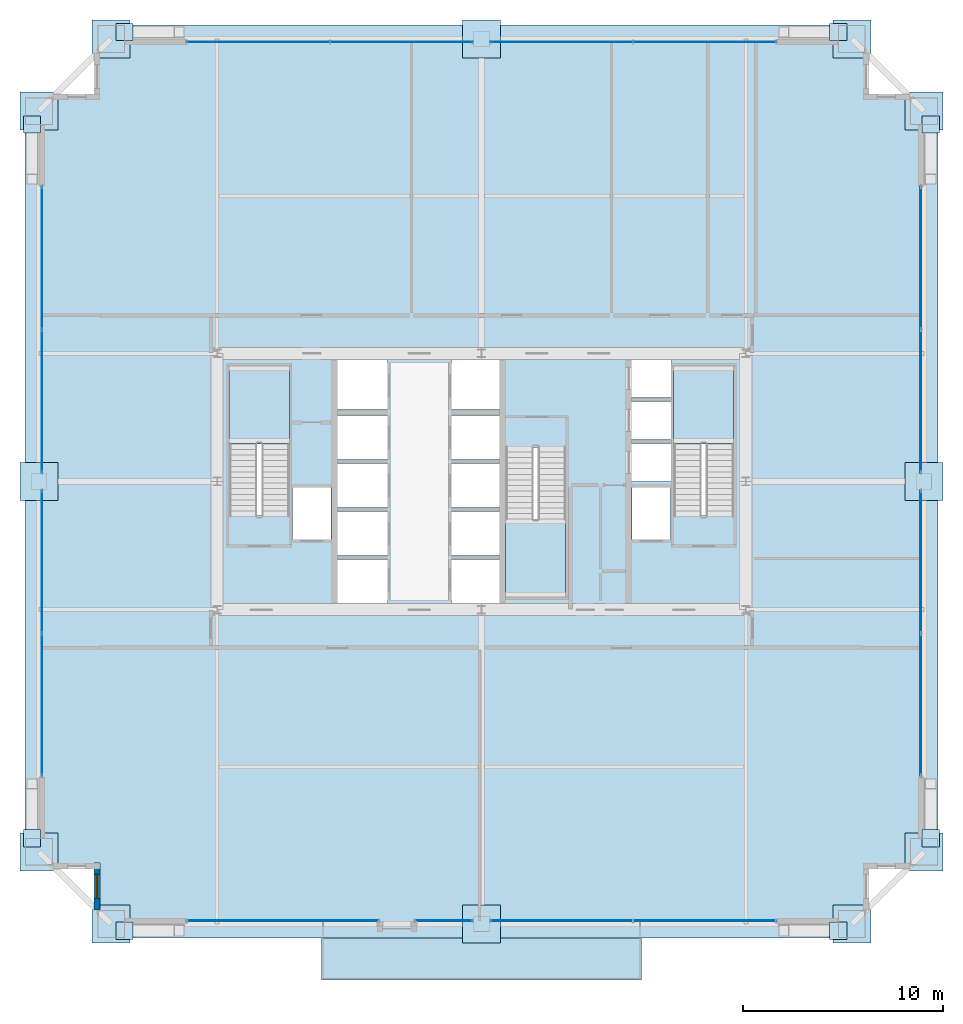
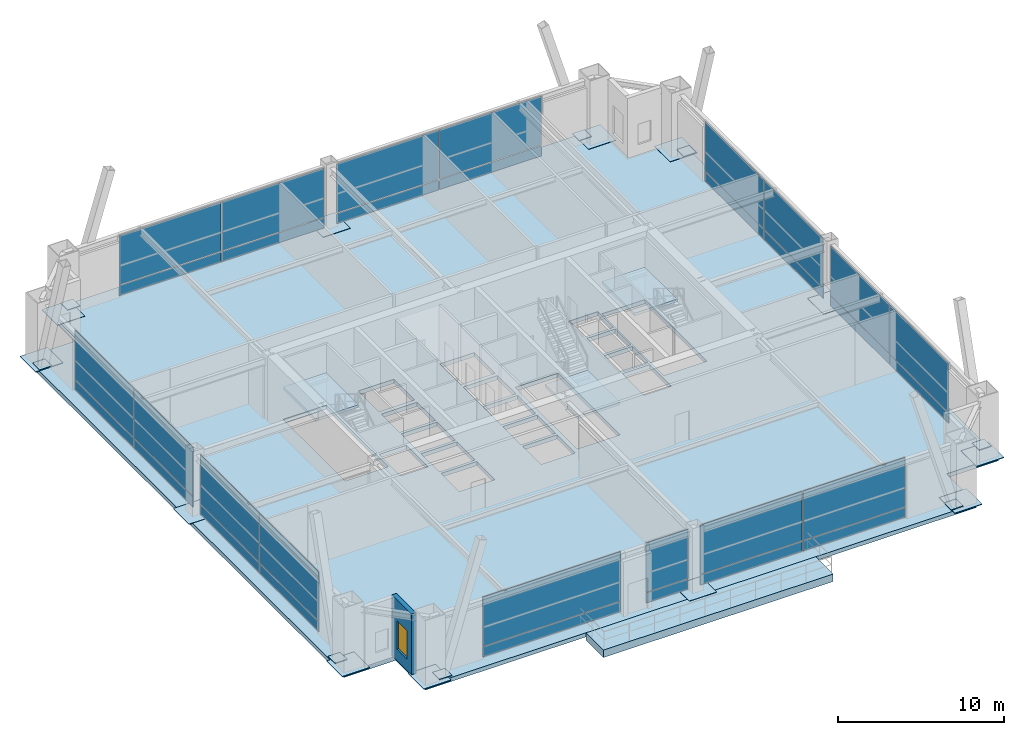
# One storey, part 29 of 34: 52 plates, 5 slabs, 1 wall, 1 window, 1 opening, 12 elements without a shape of their own.
"""IFC4 building model written with IfcOpenShell, lengths in metres."""

import ifcopenshell
import ifcopenshell.guid

model = None  # the IFC model being written
_history = None  # IfcOwnerHistory: only IFC2X3 demands one
_inside = {}  # id of a spatial element -> (the spatial element, [elements in it])
_under = {}  # id of a project, library or spatial element -> (it, [spatial elements below it])
_declared = {}  # id of a project -> (the project, [libraries it declares])
_typed = {}  # id of a type object -> (the type object, [elements of that type])
_made_of = {}  # id of a material, layer set ... -> (it, [elements and type objects made of it])


def new_model(schema):
    """Start an empty IFC model of exactly this schema.

    Asked for "IFC4X3", IfcOpenShell would pick the latest addendum, in which some entities
    have other attributes; the version numbers below select the first issue.
    IFC2X3 requires an IfcOwnerHistory on every rooted entity: one is made here for all.
    """
    global model, _history
    if schema == "IFC4X3":
        model = ifcopenshell.file(schema_version=(4, 3, 0, 0))
    else:
        model = ifcopenshell.file(schema=schema)
    _inside.clear()
    _under.clear()
    _declared.clear()
    _typed.clear()
    _made_of.clear()
    _history = None
    if model.schema == "IFC2X3":
        org = make("IfcOrganization", Name="unknown")
        user = make(
            "IfcPersonAndOrganization",
            ThePerson=make("IfcPerson", FamilyName="unknown"),
            TheOrganization=org,
        )
        app = make(
            "IfcApplication",
            ApplicationDeveloper=org,
            Version="unknown",
            ApplicationFullName="unknown",
            ApplicationIdentifier="unknown",
        )
        _history = make(
            "IfcOwnerHistory",
            OwningUser=user,
            OwningApplication=app,
            ChangeAction="ADDED",
            CreationDate=0,
        )
    return model


def make(cls, **values):
    """One entity of the class cls with the attributes given. An attribute that is None is left unset."""
    return model.create_entity(
        cls, **{name: value for name, value in values.items() if value is not None}
    )


def rooted(cls, **values):
    """An entity with a GlobalId (a new one), such as an element, a storey or a relation."""
    return make(cls, GlobalId=ifcopenshell.guid.new(), OwnerHistory=_history, **values)


def si_unit(unit_type, name, prefix=None):
    """IfcSIUnit, for example si_unit("LENGTHUNIT", "METRE", prefix="MILLI")."""
    return make("IfcSIUnit", UnitType=unit_type, Prefix=prefix, Name=name)


def assignment(units):
    """IfcUnitAssignment: the units of a project."""
    return None if units is None else make("IfcUnitAssignment", Units=units)


def point(xyz):
    """IfcCartesianPoint."""
    return None if xyz is None else make("IfcCartesianPoint", Coordinates=xyz)


def direction(xyz):
    """IfcDirection."""
    return None if xyz is None else make("IfcDirection", DirectionRatios=xyz)


def frame(location, z_axis=None, x_axis=None):
    """IfcAxis2Placement3D, a coordinate frame: its origin and axes. An axis left out is left unset."""
    return make(
        "IfcAxis2Placement3D",
        Location=point(location),
        Axis=direction(z_axis),
        RefDirection=direction(x_axis),
    )


def frame_2d(location, x_axis=None):
    """IfcAxis2Placement2D, a coordinate frame in the plane: its origin and x axis."""
    return make(
        "IfcAxis2Placement2D", Location=point(location), RefDirection=direction(x_axis)
    )


def origin():
    """The frame at (0, 0, 0) with its axes left unset."""
    return frame((0.0, 0.0, 0.0))


def origin_2d():
    """The frame at (0, 0) in the plane with its x axis left unset."""
    return frame_2d((0.0, 0.0))


def place(relative_to, where):
    """IfcLocalPlacement: puts the frame where relative to a parent placement (None: the world)."""
    return make(
        "IfcLocalPlacement", PlacementRelTo=relative_to, RelativePlacement=where
    )


def context(
    kind, dimensions, precision=None, world=None, true_north=None, identifier=None
):
    """IfcGeometricRepresentationContext, for example the 3D "Model" context."""
    return make(
        "IfcGeometricRepresentationContext",
        ContextIdentifier=identifier,
        ContextType=kind,
        CoordinateSpaceDimension=dimensions,
        Precision=precision,
        WorldCoordinateSystem=world,
        TrueNorth=true_north,
    )


def subcontext(parent, identifier, kind, view, scale=None):
    """IfcGeometricRepresentationSubContext, for example "Body" below "Model"."""
    return make(
        "IfcGeometricRepresentationSubContext",
        ContextIdentifier=identifier,
        ContextType=kind,
        ParentContext=parent,
        TargetScale=scale,
        TargetView=view,
    )


def project(units=None, contexts=None):
    """IfcProject with its units and contexts."""
    return rooted(
        "IfcProject",
        Name="project",
        RepresentationContexts=contexts,
        UnitsInContext=assignment(units),
    )


def spatial(cls, under=None, at=None, **own):
    """A site, building, storey or space (cls), placed at a placement, below another one or the project."""
    s = rooted(cls, ObjectPlacement=at, **own)
    if under is not None:
        _under.setdefault(under.id(), (under, []))[1].append(s)
    return s


def polyline(points):
    """IfcPolyline through the points."""
    return make("IfcPolyline", Points=[point(p) for p in points])


def profile(cls, at=None, kind="AREA", **sizes):
    """A parametric profile (cls). Its sizes go by their IFC names, for example OverallWidth=200.0."""
    return make(cls, ProfileType=kind, Position=at, **sizes)


def rectangle(**sizes):
    """IfcRectangleProfileDef."""
    return profile("IfcRectangleProfileDef", **sizes)


def outline(outer, holes=None, kind="AREA"):
    """IfcArbitraryClosedProfileDef: a profile drawn as a closed curve; with holes, ...WithVoids."""
    if holes is None:
        return make("IfcArbitraryClosedProfileDef", ProfileType=kind, OuterCurve=outer)
    return make(
        "IfcArbitraryProfileDefWithVoids",
        ProfileType=kind,
        OuterCurve=outer,
        InnerCurves=holes,
    )


def extrude(swept, where, along, depth):
    """IfcExtrudedAreaSolid: the profile swept, set in the frame where, extruded along a direction by depth."""
    return make(
        "IfcExtrudedAreaSolid",
        SweptArea=swept,
        Position=where,
        ExtrudedDirection=direction(along),
        Depth=depth,
    )


def shape(context_of_items, identifier, shape_type, items):
    """IfcShapeRepresentation: the items that make up one representation, for example the "Body"."""
    return make(
        "IfcShapeRepresentation",
        ContextOfItems=context_of_items,
        RepresentationIdentifier=identifier,
        RepresentationType=shape_type,
        Items=items,
    )


def source(mapping_origin, context_of_items, identifier, shape_type, items):
    """IfcRepresentationMap: a shape defined once, which mapped items show again and again."""
    return make(
        "IfcRepresentationMap",
        MappingOrigin=mapping_origin,
        MappedRepresentation=shape(context_of_items, identifier, shape_type, items),
    )


def transform(
    local_origin,
    x_axis=None,
    y_axis=None,
    z_axis=None,
    scale=None,
    scale2=None,
    scale3=None,
    uniform=True,
):
    """IfcCartesianTransformationOperator3D, or its non-uniform kind. x_axis, y_axis, z_axis: its Axis1, 2, 3."""
    if uniform:
        return make(
            "IfcCartesianTransformationOperator3D",
            Axis1=direction(x_axis),
            Axis2=direction(y_axis),
            LocalOrigin=point(local_origin),
            Scale=scale,
            Axis3=direction(z_axis),
        )
    return make(
        "IfcCartesianTransformationOperator3DnonUniform",
        Axis1=direction(x_axis),
        Axis2=direction(y_axis),
        LocalOrigin=point(local_origin),
        Scale=scale,
        Axis3=direction(z_axis),
        Scale2=scale2,
        Scale3=scale3,
    )


def mapped(mapping_source, mapping_target):
    """IfcMappedItem: shows the shape of a source again, moved by a transform."""
    return make(
        "IfcMappedItem", MappingSource=mapping_source, MappingTarget=mapping_target
    )


def material(Name=None, Category=None):
    """IfcMaterial."""
    return make("IfcMaterial", Name=Name, Category=Category)


def layer(
    of_material, thickness, ventilated=None, Name=None, Category=None, Priority=None
):
    """IfcMaterialLayer: one layer of a wall or slab, of a material (None: an air gap)."""
    return make(
        "IfcMaterialLayer",
        Material=of_material,
        LayerThickness=thickness,
        IsVentilated=ventilated,
        Name=Name,
        Category=Category,
        Priority=Priority,
    )


def layer_set(layers, Name=None):
    """IfcMaterialLayerSet."""
    return make("IfcMaterialLayerSet", MaterialLayers=layers, LayerSetName=Name)


def made_of(thing, what):
    """Note that an element or type object is made of a material, layer set ...; save() writes the relation."""
    if what is not None:
        _made_of.setdefault(what.id(), (what, []))[1].append(thing)
    return thing


def type_object(cls, material=None, **own):
    """A type object (cls), such as IfcWallType, which elements share."""
    return made_of(rooted(cls, **own), material)


def element(
    cls,
    number,
    at=None,
    inside=None,
    cuts=None,
    type_object=None,
    material=None,
    context=None,
    identifier="Body",
    shape_type=None,
    held_by="IfcProductDefinitionShape",
    body=None,
    shapes=None,
    **own,
):
    """One element of the class cls, such as IfcWall. Its Tag is "e" and its number.

    at: its placement. inside: the storey or other place that contains it. cuts: it is an
    opening in that element (IfcRelVoidsElement). A single representation is given by context,
    identifier, shape_type and body (its items); several are given by shapes. held_by: the class
    of the entity that holds the representations. save() writes the other relations.
    """
    e = rooted(cls, Tag="e%d" % number, ObjectPlacement=at, **own)
    if body is not None:
        shapes = [shape(context, identifier, shape_type, body)]
    if shapes is not None:
        e.Representation = make(held_by, Representations=shapes)
    if inside is not None:
        _inside.setdefault(inside.id(), (inside, []))[1].append(e)
    if cuts is not None:
        rooted(
            "IfcRelVoidsElement", RelatingBuildingElement=cuts, RelatedOpeningElement=e
        )
    if type_object is not None:
        _typed.setdefault(type_object.id(), (type_object, []))[1].append(e)
    return made_of(e, material)


def fill(opening, filler):
    """IfcRelFillsElement: the door or window that sits in an opening."""
    return rooted(
        "IfcRelFillsElement",
        RelatingOpeningElement=opening,
        RelatedBuildingElement=filler,
    )


def aggregate(whole, parts):
    """IfcRelAggregates: a whole, such as a stair, and the parts it consists of."""
    return rooted("IfcRelAggregates", RelatingObject=whole, RelatedObjects=parts)


def save(model, path):
    """Write the relations noted so far, then the file.

    IfcRelAggregates (storeys below a building ...), IfcRelContainedInSpatialStructure (elements
    in a storey), IfcRelDefinesByType, IfcRelAssociatesMaterial and IfcRelDeclares: one each for
    every whole, place, type object, material and project.
    """
    for whole, parts in _under.values():
        aggregate(whole, parts)
    for where, things in _inside.values():
        rooted(
            "IfcRelContainedInSpatialStructure",
            RelatedElements=things,
            RelatingStructure=where,
        )
    for kind, things in _typed.values():
        rooted("IfcRelDefinesByType", RelatedObjects=things, RelatingType=kind)
    for what, things in _made_of.values():
        rooted("IfcRelAssociatesMaterial", RelatedObjects=things, RelatingMaterial=what)
    for by, libraries in _declared.values():
        rooted("IfcRelDeclares", RelatingContext=by, RelatedDefinitions=libraries)
    model.write(path)


model = new_model("IFC4")

# Units and contexts
model_context = context("Model", 3, precision=1e-05, world=origin(), true_north=direction((0.0, 1.0)))
body_context = subcontext(model_context, "Body", "Model", "MODEL_VIEW")
ifc_project = project(units=[si_unit("LENGTHUNIT", "METRE"), si_unit("AREAUNIT", "SQUARE_METRE"), si_unit("VOLUMEUNIT", "CUBIC_METRE"), si_unit("PLANEANGLEUNIT", "RADIAN"), si_unit("MASSUNIT", "GRAM", prefix="KILO"), si_unit("THERMODYNAMICTEMPERATUREUNIT", "KELVIN"), si_unit("POWERUNIT", "WATT")], contexts=[model_context])

# Site, building, storey
site_placement = place(None, origin())
site = spatial("IfcSite", under=ifc_project, at=site_placement, CompositionType="ELEMENT")
building_placement = place(site_placement, origin())
building = spatial("IfcBuilding", under=site, at=building_placement, Name="Yuzanri Waterfront Tower", CompositionType="ELEMENT")
storey_placement = place(building_placement, frame((0.0, 0.0, 166.800048828125)))
storey = spatial("IfcBuildingStorey", under=building, at=storey_placement, Name="L44", CompositionType="ELEMENT", Elevation=166.800048828125)

# Stair, slab
ifc_material_1 = material(Name="Concrete C40", Category="concrete")
stair_type = type_object("IfcStairType", Name="Concrete C40 Core Dogleg Exit Stair", PredefinedType="HALF_TURN_STAIR", material=ifc_material_1)
stair_1_placement = place(storey_placement, origin())
stair_1 = element("IfcStair", 1, at=stair_1_placement, inside=storey, type_object=stair_type, Name="L44 Smoke-Proof Core Stair ST-01", PredefinedType="HALF_TURN_STAIR")
ifc_material_2 = material(Name="Concrete C40", Category="concrete")
ifc_layer_1 = layer(ifc_material_2, 0.179931640625)
ifc_layer_set_1 = layer_set([ifc_layer_1], Name="Concrete C40")
slab_type_1 = type_object("IfcSlabType", Name="Concrete C40 Stair Half-Landing Slab 180", PredefinedType="LANDING", material=ifc_layer_set_1)
slab_1_placement = place(storey_placement, frame((0.0, 0.0, 2.199951171875)))
slab_1 = element("IfcSlab", 2, at=slab_1_placement, type_object=slab_type_1, Name="ST-01 landing 1", PredefinedType="LANDING", context=body_context, shape_type="SweptSolid", body=[
    extrude(outline(polyline([(27.39990234375, 27.679931640625), (27.39990234375, 31.580078125), (24.39990234375, 31.580078125), (24.39990234375, 27.679931640625), (27.39990234375, 27.679931640625)])), origin(), (0.0, 0.0, 1.0), 0.199951171875),
])
aggregate(stair_1, [slab_1])

stair_2_placement = place(storey_placement, origin())
stair_2 = element("IfcStair", 3, at=stair_2_placement, inside=storey, type_object=stair_type, Name="L44 Smoke-Proof Core Stair ST-02", PredefinedType="HALF_TURN_STAIR")
slab_2_placement = place(storey_placement, frame((0.0, 0.0, 2.199951171875)))
slab_2 = element("IfcSlab", 4, at=slab_2_placement, type_object=slab_type_1, Name="ST-02 landing 1", PredefinedType="LANDING", context=body_context, shape_type="SweptSolid", body=[
    extrude(outline(polyline([(49.60009765625, 27.679931640625), (49.60009765625, 31.580078125), (46.60009765625, 31.580078125), (46.60009765625, 27.679931640625), (49.60009765625, 27.679931640625)])), origin(), (0.0, 0.0, 1.0), 0.199951171875),
])
aggregate(stair_2, [slab_2])

stair_3_placement = place(storey_placement, origin())
stair_3 = element("IfcStair", 5, at=stair_3_placement, inside=storey, type_object=stair_type, Name="L44 Smoke-Proof Core Stair ST-03", PredefinedType="HALF_TURN_STAIR")
slab_3_placement = place(storey_placement, frame((0.0, 0.0, 2.199951171875)))
slab_3 = element("IfcSlab", 6, at=slab_3_placement, type_object=slab_type_1, Name="ST-03 landing 1", PredefinedType="LANDING", context=body_context, shape_type="SweptSolid", body=[
    extrude(outline(polyline([(38.199951171875, 23.919921875), (38.199951171875, 20.02001953125), (41.199951171875, 20.02001953125), (41.199951171875, 23.919921875), (38.199951171875, 23.919921875)])), origin(), (0.0, 0.0, 1.0), 0.199951171875),
])
aggregate(stair_3, [slab_3])

# Slabs
ifc_material_3 = material(Name="Concrete C45", Category="concrete")
ifc_layer_2 = layer(ifc_material_3, 0.550048828125)
ifc_layer_set_2 = layer_set([ifc_layer_2], Name="Concrete C45")
slab_type_2 = type_object("IfcSlabType", Name="Concrete C45 Cantilevered Infinity Sky-Pool Basin Slab 550", PredefinedType="FLOOR", material=ifc_layer_set_2)
slab_4_placement = place(storey_placement, frame((0.0, 0.0, -0.550048828125)))
element("IfcSlab", 7, at=slab_4_placement, inside=storey, type_object=slab_type_2, Name="L44 Cantilevered Infinity Sky-Pool Basin", PredefinedType="FLOOR", context=body_context, shape_type="SweptSolid", body=[
    extrude(outline(polyline([(29.0, 0.89990234375), (45.0, 0.89990234375), (45.0, 3.0), (29.0, 3.0), (29.0, 0.89990234375)])), origin(), (0.0, 0.0, 1.0), 0.550048828125),
])
ifc_material_4 = material(Name="Concrete C45", Category="concrete")
ifc_layer_3 = layer(ifc_material_4, 0.300048828125)
ifc_layer_set_3 = layer_set([ifc_layer_3], Name="Concrete C45")
slab_type_3 = type_object("IfcSlabType", Name="Concrete C45 Transfer and Sky-Lobby Structural Floor Slab 300", PredefinedType="FLOOR", material=ifc_layer_set_3)
slab_5_placement = place(storey_placement, frame((0.0, 0.0, -0.300048828125)))
element("IfcSlab", 8, at=slab_5_placement, inside=storey, type_object=slab_type_3, Name="L44 Main Structural Floor Slab", PredefinedType="FLOOR", context=body_context, shape_type="SweptSolid", body=[
    extrude(outline(polyline([(17.800048828125, 3.0), (56.199951171875, 3.0), (56.199951171875, 6.60009765625), (59.800048828125, 6.60009765625), (59.800048828125, 45.0), (56.199951171875, 45.0), (56.199951171875, 48.60009765625), (17.800048828125, 48.60009765625), (17.800048828125, 45.0), (14.199951171875, 45.0), (14.199951171875, 6.60009765625), (17.800048828125, 6.60009765625), (17.800048828125, 3.0)]), holes=[polyline([(27.39990234375, 24.10009765625), (27.39990234375, 31.580078125), (24.39990234375, 31.580078125), (24.39990234375, 24.10009765625), (27.39990234375, 24.10009765625)]), polyline([(49.60009765625, 24.10009765625), (49.60009765625, 31.580078125), (46.60009765625, 31.580078125), (46.60009765625, 24.10009765625), (49.60009765625, 24.10009765625)]), polyline([(38.199951171875, 27.5), (38.199951171875, 20.02001953125), (41.199951171875, 20.02001953125), (41.199951171875, 27.5), (38.199951171875, 27.5)]), polyline([(27.56005859375, 22.89990234375), (29.47998046875, 22.89990234375), (29.47998046875, 25.5), (27.56005859375, 25.5), (27.56005859375, 22.89990234375)]), polyline([(44.52001953125, 22.89990234375), (46.43994140625, 22.89990234375), (46.43994140625, 25.5), (44.52001953125, 25.5), (44.52001953125, 22.89990234375)]), polyline([(29.800048828125, 19.699951171875), (32.300048828125, 19.699951171875), (32.300048828125, 21.89990234375), (29.800048828125, 21.89990234375), (29.800048828125, 19.699951171875)]), polyline([(29.800048828125, 22.10009765625), (32.300048828125, 22.10009765625), (32.300048828125, 24.300048828125), (29.800048828125, 24.300048828125), (29.800048828125, 22.10009765625)]), polyline([(29.800048828125, 24.5), (32.300048828125, 24.5), (32.300048828125, 26.699951171875), (29.800048828125, 26.699951171875), (29.800048828125, 24.5)]), polyline([(29.800048828125, 26.89990234375), (32.300048828125, 26.89990234375), (32.300048828125, 29.10009765625), (29.800048828125, 29.10009765625), (29.800048828125, 26.89990234375)]), polyline([(29.800048828125, 29.39990234375), (32.300048828125, 29.39990234375), (32.300048828125, 31.89990234375), (29.800048828125, 31.89990234375), (29.800048828125, 29.39990234375)]), polyline([(35.5, 19.699951171875), (37.89990234375, 19.699951171875), (37.89990234375, 21.89990234375), (35.5, 21.89990234375), (35.5, 19.699951171875)]), polyline([(35.5, 22.10009765625), (37.89990234375, 22.10009765625), (37.89990234375, 24.300048828125), (35.5, 24.300048828125), (35.5, 22.10009765625)]), polyline([(35.5, 24.5), (37.89990234375, 24.5), (37.89990234375, 26.699951171875), (35.5, 26.699951171875), (35.5, 24.5)]), polyline([(35.5, 26.89990234375), (37.89990234375, 26.89990234375), (37.89990234375, 29.10009765625), (35.5, 29.10009765625), (35.5, 26.89990234375)]), polyline([(35.5, 29.39990234375), (37.89990234375, 29.39990234375), (37.89990234375, 31.89990234375), (35.5, 31.89990234375), (35.5, 29.39990234375)]), polyline([(44.5, 25.800048828125), (46.5, 25.800048828125), (46.5, 27.699951171875), (44.5, 27.699951171875), (44.5, 25.800048828125)]), polyline([(44.5, 27.89990234375), (46.5, 27.89990234375), (46.5, 29.800048828125), (44.5, 29.800048828125), (44.5, 27.89990234375)]), polyline([(44.5, 30.0), (46.5, 30.0), (46.5, 31.89990234375), (44.5, 31.89990234375), (44.5, 30.0)])]), origin(), (0.0, 0.0, 1.0), 0.300048828125),
])

# Plates
ifc_material_5 = material(Name="Steel Q420GJC", Category="steel")
ifc_layer_4 = layer(ifc_material_5, 0.044921875)
ifc_layer_set_4 = layer_set([ifc_layer_4], Name="Steel Q420GJC")
plate_type_1 = type_object("IfcPlateType", Name="Steel Q420GJC Setback Column-Transfer Diaphragm Cap Plate 45", PredefinedType="SHEET", material=ifc_layer_set_4)
shared_shape_1 = source(origin(), body_context, "Body", "SweptSolid", [
    extrude(rectangle(XDim=1.89990234375, YDim=1.89990234375, at=origin_2d()), origin(), (0.0, 0.0, 1.0), 0.044921875),
])
for number, where, z_axis, x_axis, name in (
    (9, (18.5, 3.699951171875, -0.0224609375), (0.0, 0.0, 1.0), (1.0, 0.0, 0.0), "L44 Column Base Closure Plate S1"),
    (10, (37.0, 3.699951171875, -0.0224609375), (0.0, 0.0, 1.0), (1.0, 0.0, 0.0), "L44 Column Base Closure Plate S2"),
    (11, (55.5, 3.699951171875, -0.0224609375), (0.0, 0.0, 1.0), (1.0, 0.0, 0.0), "L44 Column Base Closure Plate S3"),
    (12, (18.5, 47.89990234375, -0.0224609375), (0.0, 0.0, 1.0), (1.0, 0.0, 0.0), "L44 Column Base Closure Plate N1"),
    (13, (37.0, 47.89990234375, -0.0224609375), (0.0, 0.0, 1.0), (1.0, 0.0, 0.0), "L44 Column Base Closure Plate N2"),
    (14, (55.5, 47.89990234375, -0.0224609375), (0.0, 0.0, 1.0), (1.0, 0.0, 0.0), "L44 Column Base Closure Plate N3"),
    (15, (14.89990234375, 7.300048828125, -0.0224609375), (0.0, 0.0, 1.0), (1.0, 0.0, 0.0), "L44 Column Base Closure Plate W1"),
    (16, (14.89990234375, 25.800048828125, -0.0224609375), (0.0, 0.0, 1.0), (1.0, 0.0, 0.0), "L44 Column Base Closure Plate W2"),
    (17, (14.89990234375, 44.300048828125, -0.0224609375), (0.0, 0.0, 1.0), (1.0, 0.0, 0.0), "L44 Column Base Closure Plate W3"),
    (18, (59.10009765625, 7.300048828125, -0.0224609375), (0.0, 0.0, 1.0), (1.0, 0.0, 0.0), "L44 Column Base Closure Plate E1"),
    (19, (59.10009765625, 25.800048828125, -0.0224609375), (0.0, 0.0, 1.0), (1.0, 0.0, 0.0), "L44 Column Base Closure Plate E2"),
    (20, (59.10009765625, 44.300048828125, -0.0224609375), (0.0, 0.0, 1.0), (1.0, 0.0, 0.0), "L44 Column Base Closure Plate E3"),
):
    element("IfcPlate", number, at=place(storey_placement, frame(where, z_axis=z_axis, x_axis=x_axis)), inside=storey, type_object=plate_type_1, Name=name, PredefinedType="SHEET", context=body_context, shape_type="MappedRepresentation", body=[
        mapped(shared_shape_1, transform((0.0, 0.0, 0.0), scale=1.0)),
    ])
ifc_material_6 = material(Name="Steel Q420GJC", Category="steel")
ifc_layer_5 = layer(ifc_material_6, 0.0400390625)
ifc_layer_set_5 = layer_set([ifc_layer_5], Name="Steel Q420GJC")
plate_type_2 = type_object("IfcPlateType", Name="Steel Q420GJC Mega-Brace Gusset and End-Cap Plate 40", PredefinedType="SHEET", material=ifc_layer_set_5)
shared_shape_2 = source(origin(), body_context, "Body", "SweptSolid", [
    extrude(rectangle(XDim=0.85009765625, YDim=0.85009765625, at=origin_2d()), origin(), (0.0, 0.0, 1.0), 0.0400390625),
])
for number, where, z_axis, x_axis, name in (
    (21, (19.179931640625, 3.360107421875, 0.159912109375), (0.0, 0.0, 1.0), (1.0, 0.0, 0.0), "L44 Mega-Brace Foot Cap Plate S-L"),
    (22, (54.820068359375, 3.360107421875, 0.159912109375), (0.0, 0.0, 1.0), (1.0, 0.0, 0.0), "L44 Mega-Brace Foot Cap Plate S-R"),
    (23, (19.179931640625, 48.239990234375, 0.159912109375), (0.0, 0.0, 1.0), (1.0, 0.0, 0.0), "L44 Mega-Brace Foot Cap Plate N-L"),
    (24, (54.820068359375, 48.239990234375, 0.159912109375), (0.0, 0.0, 1.0), (1.0, 0.0, 0.0), "L44 Mega-Brace Foot Cap Plate N-R"),
    (25, (14.56005859375, 7.97998046875, 0.159912109375), (0.0, 0.0, 1.0), (1.0, 0.0, 0.0), "L44 Mega-Brace Foot Cap Plate W-L"),
    (26, (14.56005859375, 43.6201171875, 0.159912109375), (0.0, 0.0, 1.0), (1.0, 0.0, 0.0), "L44 Mega-Brace Foot Cap Plate W-R"),
    (27, (59.43994140625, 7.97998046875, 0.159912109375), (0.0, 0.0, 1.0), (1.0, 0.0, 0.0), "L44 Mega-Brace Foot Cap Plate E-L"),
    (28, (59.43994140625, 43.6201171875, 0.159912109375), (0.0, 0.0, 1.0), (1.0, 0.0, 0.0), "L44 Mega-Brace Foot Cap Plate E-R"),
):
    element("IfcPlate", number, at=place(storey_placement, frame(where, z_axis=z_axis, x_axis=x_axis)), inside=storey, type_object=plate_type_2, Name=name, PredefinedType="SHEET", context=body_context, shape_type="MappedRepresentation", body=[
        mapped(shared_shape_2, transform((0.0, 0.0, 0.0), scale=1.0)),
    ])

# Curtain wall, plates
ifc_material_7 = material(Name="Anodized Architectural Bronze", Category="metal")
ifc_layer_6 = layer(ifc_material_7, 0.159912109375)
ifc_layer_set_6 = layer_set([ifc_layer_6], Name="Anodized Architectural Bronze")
curtain_wall_type = type_object("IfcCurtainWallType", Name="Anodized Bronze Sky-Lobby Triple-Glazed Feature Curtain Wall 7500", PredefinedType="NOTDEFINED", material=ifc_layer_set_6)
curtain_wall_1_placement = place(storey_placement, origin())
curtain_wall_1 = element("IfcCurtainWall", 29, at=curtain_wall_1_placement, inside=storey, type_object=curtain_wall_type, Name="L44 Curtain Wall CW-L44-SL1", PredefinedType="NOTDEFINED")
ifc_material_8 = material(Name="Anodized Architectural Bronze", Category="metal")
ifc_layer_7 = layer(ifc_material_8, 0.028076171875)
ifc_layer_set_7 = layer_set([ifc_layer_7], Name="Anodized Architectural Bronze")
plate_type_3 = type_object("IfcPlateType", Name="Bronze Insulated Spandrel Shadow-Box Panel 28", PredefinedType="CURTAIN_PANEL", material=ifc_layer_set_7)
shared_shape_3 = source(origin(), body_context, "Body", "SweptSolid", [
    extrude(rectangle(XDim=9.594970703125, YDim=0.028076171875, at=origin_2d()), origin(), (0.0, 0.0, 1.0), 0.739990234375),
])
plate_1_placement = place(storey_placement, frame((27.08740234375, 3.85009765625, 0.0498046875), z_axis=(0.0, 0.0, 1.0), x_axis=(1.0, 0.0, 0.0)))
plate_1 = element("IfcPlate", 30, at=plate_1_placement, type_object=plate_type_3, Name="CW-L44-SL1 Spandrel Panel 01", PredefinedType="CURTAIN_PANEL", context=body_context, shape_type="MappedRepresentation", body=[
    mapped(shared_shape_3, transform((0.0, 0.0, 0.0), scale=1.0)),
])
ifc_material_9 = material(Name="Triple Low-E Laminated Insulated Glass", Category="glass")
ifc_layer_8 = layer(ifc_material_9, 0.0439453125)
ifc_layer_set_8 = layer_set([ifc_layer_8], Name="Triple Low-E Laminated Insulated Glass")
plate_type_4 = type_object("IfcPlateType", Name="Triple Glazed Acoustic Vision Glass Panel 44", PredefinedType="CURTAIN_PANEL", material=ifc_layer_set_8)
shared_shape_4 = source(origin(), body_context, "Body", "SweptSolid", [
    extrude(rectangle(XDim=9.594970703125, YDim=0.0439453125, at=origin_2d()), origin(), (0.0, 0.0, 1.0), 3.60009765625),
])
plate_2_placement = place(storey_placement, frame((27.08740234375, 3.85009765625, 0.849853515625), z_axis=(0.0, 0.0, 1.0), x_axis=(1.0, 0.0, 0.0)))
plate_2 = element("IfcPlate", 31, at=plate_2_placement, type_object=plate_type_4, Name="CW-L44-SL1 Vision Glass Panel 01", PredefinedType="CURTAIN_PANEL", context=body_context, shape_type="MappedRepresentation", body=[
    mapped(shared_shape_4, transform((0.0, 0.0, 0.0), scale=1.0)),
])
aggregate(curtain_wall_1, [plate_1, plate_2])

curtain_wall_2_placement = place(storey_placement, origin())
curtain_wall_2 = element("IfcCurtainWall", 32, at=curtain_wall_2_placement, inside=storey, type_object=curtain_wall_type, Name="L44 Curtain Wall CW-L44-SL2", PredefinedType="NOTDEFINED")
shared_shape_5 = source(origin(), body_context, "Body", "SweptSolid", [
    extrude(rectangle(XDim=2.89501953125, YDim=0.028076171875, at=origin_2d()), origin(), (0.0, 0.0, 1.0), 0.739990234375),
])
plate_3_placement = place(storey_placement, frame((35.112548828125, 3.85009765625, 0.0498046875), z_axis=(0.0, 0.0, 1.0), x_axis=(1.0, 0.0, 0.0)))
plate_3 = element("IfcPlate", 33, at=plate_3_placement, type_object=plate_type_3, Name="CW-L44-SL2 Spandrel Panel 01", PredefinedType="CURTAIN_PANEL", context=body_context, shape_type="MappedRepresentation", body=[
    mapped(shared_shape_5, transform((0.0, 0.0, 0.0), scale=1.0)),
])
shared_shape_6 = source(origin(), body_context, "Body", "SweptSolid", [
    extrude(rectangle(XDim=2.89501953125, YDim=0.0439453125, at=origin_2d()), origin(), (0.0, 0.0, 1.0), 3.60009765625),
])
plate_4_placement = place(storey_placement, frame((35.112548828125, 3.85009765625, 0.849853515625), z_axis=(0.0, 0.0, 1.0), x_axis=(1.0, 0.0, 0.0)))
plate_4 = element("IfcPlate", 34, at=plate_4_placement, type_object=plate_type_4, Name="CW-L44-SL2 Vision Glass Panel 01", PredefinedType="CURTAIN_PANEL", context=body_context, shape_type="MappedRepresentation", body=[
    mapped(shared_shape_6, transform((0.0, 0.0, 0.0), scale=1.0)),
])
aggregate(curtain_wall_2, [plate_3, plate_4])

curtain_wall_3_placement = place(storey_placement, origin())
curtain_wall_3 = element("IfcCurtainWall", 35, at=curtain_wall_3_placement, inside=storey, type_object=curtain_wall_type, Name="L44 Curtain Wall CW-L44-SR", PredefinedType="NOTDEFINED")
shared_shape_7 = source(origin(), body_context, "Body", "SweptSolid", [
    extrude(rectangle(XDim=7.094970703125, YDim=0.028076171875, at=origin_2d()), origin(), (0.0, 0.0, 1.0), 0.739990234375),
])
plate_5_placement = place(storey_placement, frame((40.987548828125, 3.85009765625, 0.0498046875), z_axis=(0.0, 0.0, 1.0), x_axis=(1.0, 0.0, 0.0)))
plate_5 = element("IfcPlate", 36, at=plate_5_placement, type_object=plate_type_3, Name="CW-L44-SR Spandrel Panel 01", PredefinedType="CURTAIN_PANEL", context=body_context, shape_type="MappedRepresentation", body=[
    mapped(shared_shape_7, transform((0.0, 0.0, 0.0), scale=1.0)),
])
plate_6_placement = place(storey_placement, frame((48.16259765625, 3.85009765625, 0.0498046875), z_axis=(0.0, 0.0, 1.0), x_axis=(1.0, 0.0, 0.0)))
plate_6 = element("IfcPlate", 37, at=plate_6_placement, type_object=plate_type_3, Name="CW-L44-SR Spandrel Panel 02", PredefinedType="CURTAIN_PANEL", context=body_context, shape_type="MappedRepresentation", body=[
    mapped(shared_shape_7, transform((0.0, 0.0, 0.0), scale=1.0)),
])

curtain_wall_4_placement = place(storey_placement, origin())
curtain_wall_4 = element("IfcCurtainWall", 38, at=curtain_wall_4_placement, inside=storey, type_object=curtain_wall_type, Name="L44 Curtain Wall CW-L44-NL", PredefinedType="NOTDEFINED")
plate_7_placement = place(storey_placement, frame((25.83740234375, 47.75, 0.0498046875), z_axis=(0.0, 0.0, 1.0), x_axis=(1.0, 0.0, 0.0)))
plate_7 = element("IfcPlate", 39, at=plate_7_placement, type_object=plate_type_3, Name="CW-L44-NL Spandrel Panel 01", PredefinedType="CURTAIN_PANEL", context=body_context, shape_type="MappedRepresentation", body=[
    mapped(shared_shape_7, transform((0.0, 0.0, 0.0), scale=1.0)),
])
plate_8_placement = place(storey_placement, frame((33.012451171875, 47.75, 0.0498046875), z_axis=(0.0, 0.0, 1.0), x_axis=(1.0, 0.0, 0.0)))
plate_8 = element("IfcPlate", 40, at=plate_8_placement, type_object=plate_type_3, Name="CW-L44-NL Spandrel Panel 02", PredefinedType="CURTAIN_PANEL", context=body_context, shape_type="MappedRepresentation", body=[
    mapped(shared_shape_7, transform((0.0, 0.0, 0.0), scale=1.0)),
])

curtain_wall_5_placement = place(storey_placement, origin())
curtain_wall_5 = element("IfcCurtainWall", 41, at=curtain_wall_5_placement, inside=storey, type_object=curtain_wall_type, Name="L44 Curtain Wall CW-L44-NR", PredefinedType="NOTDEFINED")
plate_9_placement = place(storey_placement, frame((40.987548828125, 47.75, 0.0498046875), z_axis=(0.0, 0.0, 1.0), x_axis=(1.0, 0.0, 0.0)))
plate_9 = element("IfcPlate", 42, at=plate_9_placement, type_object=plate_type_3, Name="CW-L44-NR Spandrel Panel 01", PredefinedType="CURTAIN_PANEL", context=body_context, shape_type="MappedRepresentation", body=[
    mapped(shared_shape_7, transform((0.0, 0.0, 0.0), scale=1.0)),
])
plate_10_placement = place(storey_placement, frame((48.16259765625, 47.75, 0.0498046875), z_axis=(0.0, 0.0, 1.0), x_axis=(1.0, 0.0, 0.0)))
plate_10 = element("IfcPlate", 43, at=plate_10_placement, type_object=plate_type_3, Name="CW-L44-NR Spandrel Panel 02", PredefinedType="CURTAIN_PANEL", context=body_context, shape_type="MappedRepresentation", body=[
    mapped(shared_shape_7, transform((0.0, 0.0, 0.0), scale=1.0)),
])

curtain_wall_6_placement = place(storey_placement, origin())
curtain_wall_6 = element("IfcCurtainWall", 44, at=curtain_wall_6_placement, inside=storey, type_object=curtain_wall_type, Name="L44 Curtain Wall CW-L44-WL", PredefinedType="NOTDEFINED")
plate_11_placement = place(storey_placement, frame((15.050048828125, 14.637451171875, 0.0498046875), z_axis=(0.0, 0.0, 1.0), x_axis=(0.0, 1.0, 0.0)))
plate_11 = element("IfcPlate", 45, at=plate_11_placement, type_object=plate_type_3, Name="CW-L44-WL Spandrel Panel 01", PredefinedType="CURTAIN_PANEL", context=body_context, shape_type="MappedRepresentation", body=[
    mapped(shared_shape_7, transform((0.0, 0.0, 0.0), scale=1.0)),
])
plate_12_placement = place(storey_placement, frame((15.050048828125, 21.8125, 0.0498046875), z_axis=(0.0, 0.0, 1.0), x_axis=(0.0, 1.0, 0.0)))
plate_12 = element("IfcPlate", 46, at=plate_12_placement, type_object=plate_type_3, Name="CW-L44-WL Spandrel Panel 02", PredefinedType="CURTAIN_PANEL", context=body_context, shape_type="MappedRepresentation", body=[
    mapped(shared_shape_7, transform((0.0, 0.0, 0.0), scale=1.0)),
])

curtain_wall_7_placement = place(storey_placement, origin())
curtain_wall_7 = element("IfcCurtainWall", 47, at=curtain_wall_7_placement, inside=storey, type_object=curtain_wall_type, Name="L44 Curtain Wall CW-L44-WR", PredefinedType="NOTDEFINED")
plate_13_placement = place(storey_placement, frame((15.050048828125, 29.78759765625, 0.0498046875), z_axis=(0.0, 0.0, 1.0), x_axis=(0.0, 1.0, 0.0)))
plate_13 = element("IfcPlate", 48, at=plate_13_placement, type_object=plate_type_3, Name="CW-L44-WR Spandrel Panel 01", PredefinedType="CURTAIN_PANEL", context=body_context, shape_type="MappedRepresentation", body=[
    mapped(shared_shape_7, transform((0.0, 0.0, 0.0), scale=1.0)),
])
plate_14_placement = place(storey_placement, frame((15.050048828125, 36.96240234375, 0.0498046875), z_axis=(0.0, 0.0, 1.0), x_axis=(0.0, 1.0, 0.0)))
plate_14 = element("IfcPlate", 49, at=plate_14_placement, type_object=plate_type_3, Name="CW-L44-WR Spandrel Panel 02", PredefinedType="CURTAIN_PANEL", context=body_context, shape_type="MappedRepresentation", body=[
    mapped(shared_shape_7, transform((0.0, 0.0, 0.0), scale=1.0)),
])

curtain_wall_8_placement = place(storey_placement, origin())
curtain_wall_8 = element("IfcCurtainWall", 50, at=curtain_wall_8_placement, inside=storey, type_object=curtain_wall_type, Name="L44 Curtain Wall CW-L44-EL", PredefinedType="NOTDEFINED")
plate_15_placement = place(storey_placement, frame((58.949951171875, 14.637451171875, 0.0498046875), z_axis=(0.0, 0.0, 1.0), x_axis=(0.0, 1.0, 0.0)))
plate_15 = element("IfcPlate", 51, at=plate_15_placement, type_object=plate_type_3, Name="CW-L44-EL Spandrel Panel 01", PredefinedType="CURTAIN_PANEL", context=body_context, shape_type="MappedRepresentation", body=[
    mapped(shared_shape_7, transform((0.0, 0.0, 0.0), scale=1.0)),
])
plate_16_placement = place(storey_placement, frame((58.949951171875, 21.8125, 0.0498046875), z_axis=(0.0, 0.0, 1.0), x_axis=(0.0, 1.0, 0.0)))
plate_16 = element("IfcPlate", 52, at=plate_16_placement, type_object=plate_type_3, Name="CW-L44-EL Spandrel Panel 02", PredefinedType="CURTAIN_PANEL", context=body_context, shape_type="MappedRepresentation", body=[
    mapped(shared_shape_7, transform((0.0, 0.0, 0.0), scale=1.0)),
])

curtain_wall_9_placement = place(storey_placement, origin())
curtain_wall_9 = element("IfcCurtainWall", 53, at=curtain_wall_9_placement, inside=storey, type_object=curtain_wall_type, Name="L44 Curtain Wall CW-L44-ER", PredefinedType="NOTDEFINED")
plate_17_placement = place(storey_placement, frame((58.949951171875, 29.78759765625, 0.0498046875), z_axis=(0.0, 0.0, 1.0), x_axis=(0.0, 1.0, 0.0)))
plate_17 = element("IfcPlate", 54, at=plate_17_placement, type_object=plate_type_3, Name="CW-L44-ER Spandrel Panel 01", PredefinedType="CURTAIN_PANEL", context=body_context, shape_type="MappedRepresentation", body=[
    mapped(shared_shape_7, transform((0.0, 0.0, 0.0), scale=1.0)),
])
plate_18_placement = place(storey_placement, frame((58.949951171875, 36.96240234375, 0.0498046875), z_axis=(0.0, 0.0, 1.0), x_axis=(0.0, 1.0, 0.0)))
plate_18 = element("IfcPlate", 55, at=plate_18_placement, type_object=plate_type_3, Name="CW-L44-ER Spandrel Panel 02", PredefinedType="CURTAIN_PANEL", context=body_context, shape_type="MappedRepresentation", body=[
    mapped(shared_shape_7, transform((0.0, 0.0, 0.0), scale=1.0)),
])

# Plate
shared_shape_8 = source(origin(), body_context, "Body", "SweptSolid", [
    extrude(rectangle(XDim=7.094970703125, YDim=0.0439453125, at=origin_2d()), origin(), (0.0, 0.0, 1.0), 3.60009765625),
])
plate_19_placement = place(storey_placement, frame((40.987548828125, 3.85009765625, 0.849853515625), z_axis=(0.0, 0.0, 1.0), x_axis=(1.0, 0.0, 0.0)))
plate_19 = element("IfcPlate", 56, at=plate_19_placement, type_object=plate_type_4, Name="CW-L44-SR Vision Glass Panel 01", PredefinedType="CURTAIN_PANEL", context=body_context, shape_type="MappedRepresentation", body=[
    mapped(shared_shape_8, transform((0.0, 0.0, 0.0), scale=1.0)),
])

plate_20_placement = place(storey_placement, frame((48.16259765625, 3.85009765625, 0.849853515625), z_axis=(0.0, 0.0, 1.0), x_axis=(1.0, 0.0, 0.0)))
plate_20 = element("IfcPlate", 57, at=plate_20_placement, type_object=plate_type_4, Name="CW-L44-SR Vision Glass Panel 02", PredefinedType="CURTAIN_PANEL", context=body_context, shape_type="MappedRepresentation", body=[
    mapped(shared_shape_8, transform((0.0, 0.0, 0.0), scale=1.0)),
])

aggregate(curtain_wall_3, [plate_5, plate_19, plate_6, plate_20])

plate_21_placement = place(storey_placement, frame((25.83740234375, 47.75, 0.849853515625), z_axis=(0.0, 0.0, 1.0), x_axis=(1.0, 0.0, 0.0)))
plate_21 = element("IfcPlate", 58, at=plate_21_placement, type_object=plate_type_4, Name="CW-L44-NL Vision Glass Panel 01", PredefinedType="CURTAIN_PANEL", context=body_context, shape_type="MappedRepresentation", body=[
    mapped(shared_shape_8, transform((0.0, 0.0, 0.0), scale=1.0)),
])

plate_22_placement = place(storey_placement, frame((33.012451171875, 47.75, 0.849853515625), z_axis=(0.0, 0.0, 1.0), x_axis=(1.0, 0.0, 0.0)))
plate_22 = element("IfcPlate", 59, at=plate_22_placement, type_object=plate_type_4, Name="CW-L44-NL Vision Glass Panel 02", PredefinedType="CURTAIN_PANEL", context=body_context, shape_type="MappedRepresentation", body=[
    mapped(shared_shape_8, transform((0.0, 0.0, 0.0), scale=1.0)),
])

aggregate(curtain_wall_4, [plate_7, plate_21, plate_8, plate_22])

plate_23_placement = place(storey_placement, frame((40.987548828125, 47.75, 0.849853515625), z_axis=(0.0, 0.0, 1.0), x_axis=(1.0, 0.0, 0.0)))
plate_23 = element("IfcPlate", 60, at=plate_23_placement, type_object=plate_type_4, Name="CW-L44-NR Vision Glass Panel 01", PredefinedType="CURTAIN_PANEL", context=body_context, shape_type="MappedRepresentation", body=[
    mapped(shared_shape_8, transform((0.0, 0.0, 0.0), scale=1.0)),
])

plate_24_placement = place(storey_placement, frame((48.16259765625, 47.75, 0.849853515625), z_axis=(0.0, 0.0, 1.0), x_axis=(1.0, 0.0, 0.0)))
plate_24 = element("IfcPlate", 61, at=plate_24_placement, type_object=plate_type_4, Name="CW-L44-NR Vision Glass Panel 02", PredefinedType="CURTAIN_PANEL", context=body_context, shape_type="MappedRepresentation", body=[
    mapped(shared_shape_8, transform((0.0, 0.0, 0.0), scale=1.0)),
])

aggregate(curtain_wall_5, [plate_9, plate_23, plate_10, plate_24])

plate_25_placement = place(storey_placement, frame((15.050048828125, 14.637451171875, 0.849853515625), z_axis=(0.0, 0.0, 1.0), x_axis=(0.0, 1.0, 0.0)))
plate_25 = element("IfcPlate", 62, at=plate_25_placement, type_object=plate_type_4, Name="CW-L44-WL Vision Glass Panel 01", PredefinedType="CURTAIN_PANEL", context=body_context, shape_type="MappedRepresentation", body=[
    mapped(shared_shape_8, transform((0.0, 0.0, 0.0), scale=1.0)),
])

plate_26_placement = place(storey_placement, frame((15.050048828125, 21.8125, 0.849853515625), z_axis=(0.0, 0.0, 1.0), x_axis=(0.0, 1.0, 0.0)))
plate_26 = element("IfcPlate", 63, at=plate_26_placement, type_object=plate_type_4, Name="CW-L44-WL Vision Glass Panel 02", PredefinedType="CURTAIN_PANEL", context=body_context, shape_type="MappedRepresentation", body=[
    mapped(shared_shape_8, transform((0.0, 0.0, 0.0), scale=1.0)),
])

aggregate(curtain_wall_6, [plate_11, plate_25, plate_12, plate_26])

plate_27_placement = place(storey_placement, frame((15.050048828125, 29.78759765625, 0.849853515625), z_axis=(0.0, 0.0, 1.0), x_axis=(0.0, 1.0, 0.0)))
plate_27 = element("IfcPlate", 64, at=plate_27_placement, type_object=plate_type_4, Name="CW-L44-WR Vision Glass Panel 01", PredefinedType="CURTAIN_PANEL", context=body_context, shape_type="MappedRepresentation", body=[
    mapped(shared_shape_8, transform((0.0, 0.0, 0.0), scale=1.0)),
])

plate_28_placement = place(storey_placement, frame((15.050048828125, 36.96240234375, 0.849853515625), z_axis=(0.0, 0.0, 1.0), x_axis=(0.0, 1.0, 0.0)))
plate_28 = element("IfcPlate", 65, at=plate_28_placement, type_object=plate_type_4, Name="CW-L44-WR Vision Glass Panel 02", PredefinedType="CURTAIN_PANEL", context=body_context, shape_type="MappedRepresentation", body=[
    mapped(shared_shape_8, transform((0.0, 0.0, 0.0), scale=1.0)),
])

aggregate(curtain_wall_7, [plate_13, plate_27, plate_14, plate_28])

plate_29_placement = place(storey_placement, frame((58.949951171875, 14.637451171875, 0.849853515625), z_axis=(0.0, 0.0, 1.0), x_axis=(0.0, 1.0, 0.0)))
plate_29 = element("IfcPlate", 66, at=plate_29_placement, type_object=plate_type_4, Name="CW-L44-EL Vision Glass Panel 01", PredefinedType="CURTAIN_PANEL", context=body_context, shape_type="MappedRepresentation", body=[
    mapped(shared_shape_8, transform((0.0, 0.0, 0.0), scale=1.0)),
])

plate_30_placement = place(storey_placement, frame((58.949951171875, 21.8125, 0.849853515625), z_axis=(0.0, 0.0, 1.0), x_axis=(0.0, 1.0, 0.0)))
plate_30 = element("IfcPlate", 67, at=plate_30_placement, type_object=plate_type_4, Name="CW-L44-EL Vision Glass Panel 02", PredefinedType="CURTAIN_PANEL", context=body_context, shape_type="MappedRepresentation", body=[
    mapped(shared_shape_8, transform((0.0, 0.0, 0.0), scale=1.0)),
])

aggregate(curtain_wall_8, [plate_15, plate_29, plate_16, plate_30])

plate_31_placement = place(storey_placement, frame((58.949951171875, 29.78759765625, 0.849853515625), z_axis=(0.0, 0.0, 1.0), x_axis=(0.0, 1.0, 0.0)))
plate_31 = element("IfcPlate", 68, at=plate_31_placement, type_object=plate_type_4, Name="CW-L44-ER Vision Glass Panel 01", PredefinedType="CURTAIN_PANEL", context=body_context, shape_type="MappedRepresentation", body=[
    mapped(shared_shape_8, transform((0.0, 0.0, 0.0), scale=1.0)),
])

plate_32_placement = place(storey_placement, frame((58.949951171875, 36.96240234375, 0.849853515625), z_axis=(0.0, 0.0, 1.0), x_axis=(0.0, 1.0, 0.0)))
plate_32 = element("IfcPlate", 69, at=plate_32_placement, type_object=plate_type_4, Name="CW-L44-ER Vision Glass Panel 02", PredefinedType="CURTAIN_PANEL", context=body_context, shape_type="MappedRepresentation", body=[
    mapped(shared_shape_8, transform((0.0, 0.0, 0.0), scale=1.0)),
])

aggregate(curtain_wall_9, [plate_17, plate_31, plate_18, plate_32])

# Wall, opening, window
ifc_material_10 = material(Name="Honed Chongqing Dark Basalt Stone", Category="masonry")
ifc_layer_9 = layer(ifc_material_10, 0.300048828125)
ifc_layer_set_9 = layer_set([ifc_layer_9], Name="Honed Chongqing Dark Basalt Stone")
wall_type = type_object("IfcWallType", Name="Bronze Rainscreen Insulated Spandrel Portal Wall 300", PredefinedType="SOLIDWALL", material=ifc_layer_set_9)
wall_placement = place(storey_placement, frame((17.800048828125, 6.75, 0.0), z_axis=(0.0, 0.0, 1.0), x_axis=(0.0, -1.0, 0.0)))
wall = element("IfcWall", 70, at=wall_placement, inside=storey, type_object=wall_type, Name="L44 Notched Corner Masonry Wall SW-Y", PredefinedType="SOLIDWALL", context=body_context, shape_type="SweptSolid", body=[
    extrude(rectangle(XDim=2.35009765625, YDim=0.300048828125, at=frame_2d((1.175048828125, 0.0))), origin(), (0.0, 0.0, 1.0), 4.5),
])
opening_placement = place(wall_placement, frame((0.574951171875, 0.0, 0.85009765625)))
opening = element("IfcOpeningElement", 71, at=opening_placement, cuts=wall, Name="Opening WN-02", PredefinedType="OPENING", context=body_context, shape_type="SweptSolid", body=[
    extrude(rectangle(XDim=1.199951171875, YDim=2.10009765625, at=frame_2d((0.60009765625, 1.050048828125))), frame((0.0, 0.1650390625, 0.0), z_axis=(0.0, -1.0, 0.0), x_axis=(1.0, 0.0, 0.0)), (0.0, 0.0, 1.0), 0.329833984375),
])
ifc_material_11 = material(Name="Double-Silver Low-E Insulated Glass", Category="glass")
window_type = type_object("IfcWindowType", Name="Anodized Bronze Notched Corner Deep-Set Slot Window 1200x2100", PartitioningType="SINGLE_PANEL", PredefinedType="WINDOW", material=ifc_material_11)
shared_shape_9 = source(origin(), body_context, "Body", "SweptSolid", [
    extrude(rectangle(XDim=1.199951171875, YDim=2.10009765625, at=frame_2d((0.60009765625, 1.050048828125))), frame((0.0, 0.030029296875, 0.0), z_axis=(0.0, -1.0, 0.0), x_axis=(1.0, 0.0, 0.0)), (0.0, 0.0, 1.0), 0.06005859375),
])
window_placement = place(opening_placement, origin())
window = element("IfcWindow", 72, at=window_placement, inside=storey, type_object=window_type, Name="L44 Notched Corner Window SW-Y", OverallHeight=2.10009765625, OverallWidth=1.199951171875, PartitioningType="SINGLE_PANEL", PredefinedType="WINDOW", context=body_context, shape_type="MappedRepresentation", body=[
    mapped(shared_shape_9, transform((0.0, 0.0, 0.0), scale=1.0)),
])
fill(opening, window)

save(model, "model.ifc")
